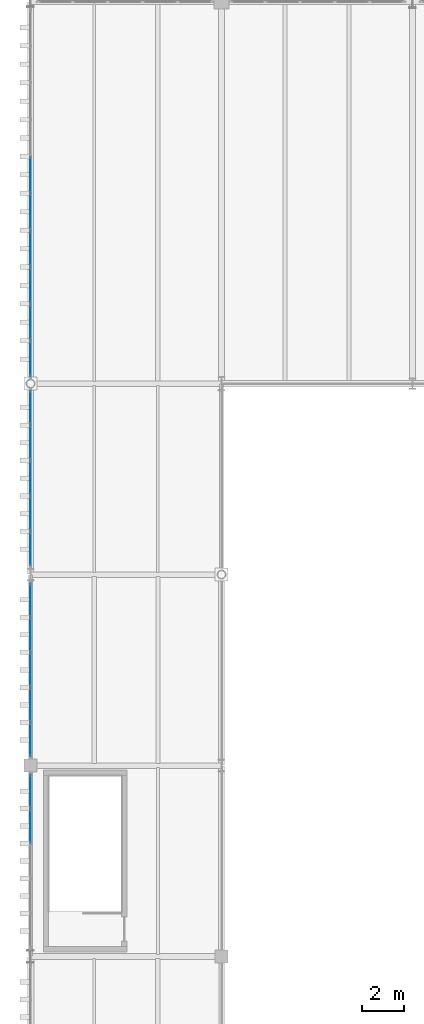
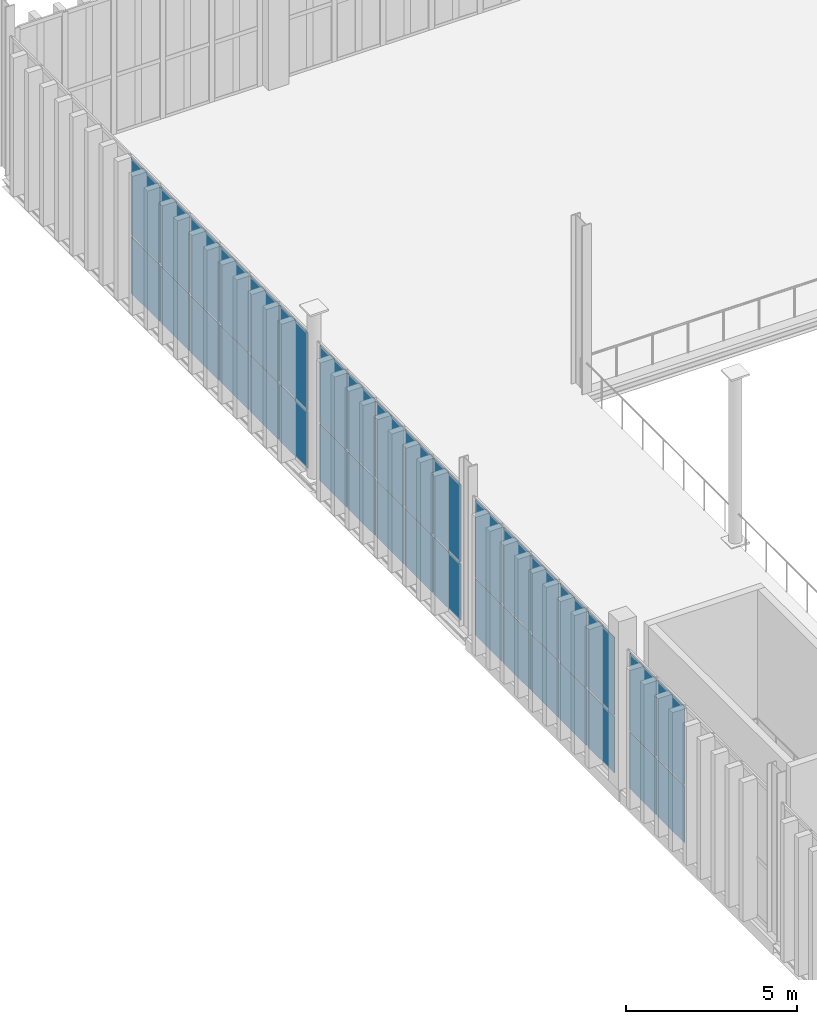
# One storey, part 159 of 211: 36 plates, 4 elements without a shape of their own.
"""IFC4 building model written with IfcOpenShell, lengths in metres."""

from ifc_helpers import new_model, si_unit, direction, frame, origin, origin_2d, place, context, subcontext, project, spatial, rectangle, extrude, material, layer, layer_set, type_object, element, aggregate, save


model = new_model("IFC4")

# Units and contexts
model_context = context("Model", 3, precision=1e-05, world=origin(), true_north=direction((0.0, 1.0)))
body_context = subcontext(model_context, "Body", "Model", "MODEL_VIEW")
ifc_project = project(units=[si_unit("LENGTHUNIT", "METRE"), si_unit("AREAUNIT", "SQUARE_METRE"), si_unit("VOLUMEUNIT", "CUBIC_METRE"), si_unit("PLANEANGLEUNIT", "RADIAN"), si_unit("MASSUNIT", "GRAM", prefix="KILO")], contexts=[model_context])

# Site, building, storey
site_placement = place(None, origin())
site = spatial("IfcSite", under=ifc_project, at=site_placement, CompositionType="ELEMENT")
building_placement = place(site_placement, origin())
building = spatial("IfcBuilding", under=site, at=building_placement, Name="Barlavento Convention Centre", CompositionType="ELEMENT")
storey_placement = place(building_placement, frame((0.0, 0.0, 6.0)))
storey = spatial("IfcBuildingStorey", under=building, at=storey_placement, Name="L01", CompositionType="ELEMENT", Elevation=6.0)

# Curtain wall, plates
ifc_material_1 = material(Name="Powder-coated aluminium and Low-E glass", Category="aluminium")
ifc_layer_1 = layer(ifc_material_1, 0.179931640625)
ifc_layer_set_1 = layer_set([ifc_layer_1], Name="ARC-CW-EXH-L01")
curtain_wall_type = type_object("IfcCurtainWallType", Name="ARC-CW-EXH-L01", PredefinedType="NOTDEFINED", material=ifc_layer_set_1)
curtain_wall_1_placement = place(storey_placement, origin())
curtain_wall_1 = element("IfcCurtainWall", 1, at=curtain_wall_1_placement, inside=storey, type_object=curtain_wall_type, Name="L01 unitised curtain wall CW04", PredefinedType="NOTDEFINED")
ifc_material_2 = material(Name="Double-silver Low-E insulated glass", Category="glass")
ifc_layer_2 = layer(ifc_material_2, 0.028076171875)
ifc_layer_set_2 = layer_set([ifc_layer_2], Name="ARC-CWP-GLZ28")
plate_type = type_object("IfcPlateType", Name="ARC-CWP-GLZ28", PredefinedType="CURTAIN_PANEL", material=ifc_layer_set_2)
plate_1_placement = place(storey_placement, frame((0.0, 96.14794921875, 0.06005859375), z_axis=(0.0, 0.0, 1.0), x_axis=(0.0, 1.0, 0.0)))
plate_1 = element("IfcPlate", 2, at=plate_1_placement, type_object=plate_type, Name="CW04 panel 4.1", PredefinedType="CURTAIN_PANEL", context=body_context, shape_type="SweptSolid", body=[
    extrude(rectangle(XDim=1.5830078125, YDim=0.028076171875, at=origin_2d()), origin(), (0.0, 0.0, 1.0), 2.010009765625),
])
plate_2_placement = place(storey_placement, frame((0.0, 96.14794921875, 2.1298828125), z_axis=(0.0, 0.0, 1.0), x_axis=(0.0, 1.0, 0.0)))
plate_2 = element("IfcPlate", 3, at=plate_2_placement, type_object=plate_type, Name="CW04 panel 4.2", PredefinedType="CURTAIN_PANEL", context=body_context, shape_type="SweptSolid", body=[
    extrude(rectangle(XDim=1.5830078125, YDim=0.028076171875, at=origin_2d()), origin(), (0.0, 0.0, 1.0), 2.760009765625),
])
plate_3_placement = place(storey_placement, frame((0.0, 97.77978515625, 0.06005859375), z_axis=(0.0, 0.0, 1.0), x_axis=(0.0, 1.0, 0.0)))
plate_3 = element("IfcPlate", 4, at=plate_3_placement, type_object=plate_type, Name="CW04 panel 5.1", PredefinedType="CURTAIN_PANEL", context=body_context, shape_type="SweptSolid", body=[
    extrude(rectangle(XDim=1.550537109375, YDim=0.028076171875, at=origin_2d()), origin(), (0.0, 0.0, 1.0), 2.010009765625),
])
plate_4_placement = place(storey_placement, frame((0.0, 97.77978515625, 2.1298828125), z_axis=(0.0, 0.0, 1.0), x_axis=(0.0, 1.0, 0.0)))
plate_4 = element("IfcPlate", 5, at=plate_4_placement, type_object=plate_type, Name="CW04 panel 5.2", PredefinedType="CURTAIN_PANEL", context=body_context, shape_type="SweptSolid", body=[
    extrude(rectangle(XDim=1.550537109375, YDim=0.028076171875, at=origin_2d()), origin(), (0.0, 0.0, 1.0), 2.760009765625),
])
aggregate(curtain_wall_1, [plate_1, plate_2, plate_3, plate_4])

curtain_wall_2_placement = place(storey_placement, origin())
curtain_wall_2 = element("IfcCurtainWall", 6, at=curtain_wall_2_placement, inside=storey, type_object=curtain_wall_type, Name="L01 unitised curtain wall CW04", PredefinedType="NOTDEFINED")
plate_5_placement = place(storey_placement, frame((0.0, 100.2216796875, 0.06005859375), z_axis=(0.0, 0.0, 1.0), x_axis=(0.0, 1.0, 0.0)))
plate_5 = element("IfcPlate", 7, at=plate_5_placement, type_object=plate_type, Name="CW04 panel 1.1", PredefinedType="CURTAIN_PANEL", context=body_context, shape_type="SweptSolid", body=[
    extrude(rectangle(XDim=1.55322265625, YDim=0.028076171875, at=origin_2d()), origin(), (0.0, 0.0, 1.0), 2.010009765625),
])
plate_6_placement = place(storey_placement, frame((0.0, 100.2216796875, 2.1298828125), z_axis=(0.0, 0.0, 1.0), x_axis=(0.0, 1.0, 0.0)))
plate_6 = element("IfcPlate", 8, at=plate_6_placement, type_object=plate_type, Name="CW04 panel 1.2", PredefinedType="CURTAIN_PANEL", context=body_context, shape_type="SweptSolid", body=[
    extrude(rectangle(XDim=1.55322265625, YDim=0.028076171875, at=origin_2d()), origin(), (0.0, 0.0, 1.0), 2.760009765625),
])
plate_7_placement = place(storey_placement, frame((0.0, 101.856201171875, 0.06005859375), z_axis=(0.0, 0.0, 1.0), x_axis=(0.0, 1.0, 0.0)))
plate_7 = element("IfcPlate", 9, at=plate_7_placement, type_object=plate_type, Name="CW04 panel 2.1", PredefinedType="CURTAIN_PANEL", context=body_context, shape_type="SweptSolid", body=[
    extrude(rectangle(XDim=1.585693359375, YDim=0.028076171875, at=origin_2d()), origin(), (0.0, 0.0, 1.0), 2.010009765625),
])
plate_8_placement = place(storey_placement, frame((0.0, 101.856201171875, 2.1298828125), z_axis=(0.0, 0.0, 1.0), x_axis=(0.0, 1.0, 0.0)))
plate_8 = element("IfcPlate", 10, at=plate_8_placement, type_object=plate_type, Name="CW04 panel 2.2", PredefinedType="CURTAIN_PANEL", context=body_context, shape_type="SweptSolid", body=[
    extrude(rectangle(XDim=1.585693359375, YDim=0.028076171875, at=origin_2d()), origin(), (0.0, 0.0, 1.0), 2.760009765625),
])
plate_9_placement = place(storey_placement, frame((0.0, 103.507080078125, 0.06005859375), z_axis=(0.0, 0.0, 1.0), x_axis=(0.0, 1.0, 0.0)))
plate_9 = element("IfcPlate", 11, at=plate_9_placement, type_object=plate_type, Name="CW04 panel 3.1", PredefinedType="CURTAIN_PANEL", context=body_context, shape_type="SweptSolid", body=[
    extrude(rectangle(XDim=1.585693359375, YDim=0.028076171875, at=origin_2d()), origin(), (0.0, 0.0, 1.0), 2.010009765625),
])
plate_10_placement = place(storey_placement, frame((0.0, 103.507080078125, 2.1298828125), z_axis=(0.0, 0.0, 1.0), x_axis=(0.0, 1.0, 0.0)))
plate_10 = element("IfcPlate", 12, at=plate_10_placement, type_object=plate_type, Name="CW04 panel 3.2", PredefinedType="CURTAIN_PANEL", context=body_context, shape_type="SweptSolid", body=[
    extrude(rectangle(XDim=1.585693359375, YDim=0.028076171875, at=origin_2d()), origin(), (0.0, 0.0, 1.0), 2.760009765625),
])
plate_11_placement = place(storey_placement, frame((0.0, 105.15771484375, 0.06005859375), z_axis=(0.0, 0.0, 1.0), x_axis=(0.0, 1.0, 0.0)))
plate_11 = element("IfcPlate", 13, at=plate_11_placement, type_object=plate_type, Name="CW04 panel 4.1", PredefinedType="CURTAIN_PANEL", context=body_context, shape_type="SweptSolid", body=[
    extrude(rectangle(XDim=1.585693359375, YDim=0.028076171875, at=origin_2d()), origin(), (0.0, 0.0, 1.0), 2.010009765625),
])
plate_12_placement = place(storey_placement, frame((0.0, 105.15771484375, 2.1298828125), z_axis=(0.0, 0.0, 1.0), x_axis=(0.0, 1.0, 0.0)))
plate_12 = element("IfcPlate", 14, at=plate_12_placement, type_object=plate_type, Name="CW04 panel 4.2", PredefinedType="CURTAIN_PANEL", context=body_context, shape_type="SweptSolid", body=[
    extrude(rectangle(XDim=1.585693359375, YDim=0.028076171875, at=origin_2d()), origin(), (0.0, 0.0, 1.0), 2.760009765625),
])
plate_13_placement = place(storey_placement, frame((0.0, 106.792236328125, 0.06005859375), z_axis=(0.0, 0.0, 1.0), x_axis=(0.0, 1.0, 0.0)))
plate_13 = element("IfcPlate", 15, at=plate_13_placement, type_object=plate_type, Name="CW04 panel 5.1", PredefinedType="CURTAIN_PANEL", context=body_context, shape_type="SweptSolid", body=[
    extrude(rectangle(XDim=1.55322265625, YDim=0.028076171875, at=origin_2d()), origin(), (0.0, 0.0, 1.0), 2.010009765625),
])
plate_14_placement = place(storey_placement, frame((0.0, 106.792236328125, 2.1298828125), z_axis=(0.0, 0.0, 1.0), x_axis=(0.0, 1.0, 0.0)))
plate_14 = element("IfcPlate", 16, at=plate_14_placement, type_object=plate_type, Name="CW04 panel 5.2", PredefinedType="CURTAIN_PANEL", context=body_context, shape_type="SweptSolid", body=[
    extrude(rectangle(XDim=1.55322265625, YDim=0.028076171875, at=origin_2d()), origin(), (0.0, 0.0, 1.0), 2.760009765625),
])
aggregate(curtain_wall_2, [plate_5, plate_6, plate_7, plate_8, plate_9, plate_10, plate_11, plate_12, plate_13, plate_14])

curtain_wall_3_placement = place(storey_placement, origin())
curtain_wall_3 = element("IfcCurtainWall", 17, at=curtain_wall_3_placement, inside=storey, type_object=curtain_wall_type, Name="L01 unitised curtain wall CW04", PredefinedType="NOTDEFINED")
plate_15_placement = place(storey_placement, frame((0.0, 109.21728515625, 0.06005859375), z_axis=(0.0, 0.0, 1.0), x_axis=(0.0, 1.0, 0.0)))
plate_15 = element("IfcPlate", 18, at=plate_15_placement, type_object=plate_type, Name="CW04 panel 1.1", PredefinedType="CURTAIN_PANEL", context=body_context, shape_type="SweptSolid", body=[
    extrude(rectangle(XDim=1.57275390625, YDim=0.028076171875, at=origin_2d()), origin(), (0.0, 0.0, 1.0), 2.010009765625),
])
plate_16_placement = place(storey_placement, frame((0.0, 109.21728515625, 2.1298828125), z_axis=(0.0, 0.0, 1.0), x_axis=(0.0, 1.0, 0.0)))
plate_16 = element("IfcPlate", 19, at=plate_16_placement, type_object=plate_type, Name="CW04 panel 1.2", PredefinedType="CURTAIN_PANEL", context=body_context, shape_type="SweptSolid", body=[
    extrude(rectangle(XDim=1.57275390625, YDim=0.028076171875, at=origin_2d()), origin(), (0.0, 0.0, 1.0), 2.760009765625),
])
plate_17_placement = place(storey_placement, frame((0.0, 110.871337890625, 0.06005859375), z_axis=(0.0, 0.0, 1.0), x_axis=(0.0, 1.0, 0.0)))
plate_17 = element("IfcPlate", 20, at=plate_17_placement, type_object=plate_type, Name="CW04 panel 2.1", PredefinedType="CURTAIN_PANEL", context=body_context, shape_type="SweptSolid", body=[
    extrude(rectangle(XDim=1.605224609375, YDim=0.028076171875, at=origin_2d()), origin(), (0.0, 0.0, 1.0), 2.010009765625),
])
plate_18_placement = place(storey_placement, frame((0.0, 110.871337890625, 2.1298828125), z_axis=(0.0, 0.0, 1.0), x_axis=(0.0, 1.0, 0.0)))
plate_18 = element("IfcPlate", 21, at=plate_18_placement, type_object=plate_type, Name="CW04 panel 2.2", PredefinedType="CURTAIN_PANEL", context=body_context, shape_type="SweptSolid", body=[
    extrude(rectangle(XDim=1.605224609375, YDim=0.028076171875, at=origin_2d()), origin(), (0.0, 0.0, 1.0), 2.760009765625),
])
plate_19_placement = place(storey_placement, frame((0.0, 112.54150390625, 0.06005859375), z_axis=(0.0, 0.0, 1.0), x_axis=(0.0, 1.0, 0.0)))
plate_19 = element("IfcPlate", 22, at=plate_19_placement, type_object=plate_type, Name="CW04 panel 3.1", PredefinedType="CURTAIN_PANEL", context=body_context, shape_type="SweptSolid", body=[
    extrude(rectangle(XDim=1.605224609375, YDim=0.028076171875, at=origin_2d()), origin(), (0.0, 0.0, 1.0), 2.010009765625),
])
plate_20_placement = place(storey_placement, frame((0.0, 112.54150390625, 2.1298828125), z_axis=(0.0, 0.0, 1.0), x_axis=(0.0, 1.0, 0.0)))
plate_20 = element("IfcPlate", 23, at=plate_20_placement, type_object=plate_type, Name="CW04 panel 3.2", PredefinedType="CURTAIN_PANEL", context=body_context, shape_type="SweptSolid", body=[
    extrude(rectangle(XDim=1.605224609375, YDim=0.028076171875, at=origin_2d()), origin(), (0.0, 0.0, 1.0), 2.760009765625),
])
plate_21_placement = place(storey_placement, frame((0.0, 114.211669921875, 0.06005859375), z_axis=(0.0, 0.0, 1.0), x_axis=(0.0, 1.0, 0.0)))
plate_21 = element("IfcPlate", 24, at=plate_21_placement, type_object=plate_type, Name="CW04 panel 4.1", PredefinedType="CURTAIN_PANEL", context=body_context, shape_type="SweptSolid", body=[
    extrude(rectangle(XDim=1.605224609375, YDim=0.028076171875, at=origin_2d()), origin(), (0.0, 0.0, 1.0), 2.010009765625),
])
plate_22_placement = place(storey_placement, frame((0.0, 114.211669921875, 2.1298828125), z_axis=(0.0, 0.0, 1.0), x_axis=(0.0, 1.0, 0.0)))
plate_22 = element("IfcPlate", 25, at=plate_22_placement, type_object=plate_type, Name="CW04 panel 4.2", PredefinedType="CURTAIN_PANEL", context=body_context, shape_type="SweptSolid", body=[
    extrude(rectangle(XDim=1.605224609375, YDim=0.028076171875, at=origin_2d()), origin(), (0.0, 0.0, 1.0), 2.760009765625),
])
plate_23_placement = place(storey_placement, frame((0.0, 115.865478515625, 0.06005859375), z_axis=(0.0, 0.0, 1.0), x_axis=(0.0, 1.0, 0.0)))
plate_23 = element("IfcPlate", 26, at=plate_23_placement, type_object=plate_type, Name="CW04 panel 5.1", PredefinedType="CURTAIN_PANEL", context=body_context, shape_type="SweptSolid", body=[
    extrude(rectangle(XDim=1.57275390625, YDim=0.028076171875, at=origin_2d()), origin(), (0.0, 0.0, 1.0), 2.010009765625),
])
plate_24_placement = place(storey_placement, frame((0.0, 115.865478515625, 2.1298828125), z_axis=(0.0, 0.0, 1.0), x_axis=(0.0, 1.0, 0.0)))
plate_24 = element("IfcPlate", 27, at=plate_24_placement, type_object=plate_type, Name="CW04 panel 5.2", PredefinedType="CURTAIN_PANEL", context=body_context, shape_type="SweptSolid", body=[
    extrude(rectangle(XDim=1.57275390625, YDim=0.028076171875, at=origin_2d()), origin(), (0.0, 0.0, 1.0), 2.760009765625),
])
aggregate(curtain_wall_3, [plate_15, plate_16, plate_17, plate_18, plate_19, plate_20, plate_21, plate_22, plate_23, plate_24])

curtain_wall_4_placement = place(storey_placement, origin())
curtain_wall_4 = element("IfcCurtainWall", 28, at=curtain_wall_4_placement, inside=storey, type_object=curtain_wall_type, Name="L01 unitised curtain wall CW04", PredefinedType="NOTDEFINED")
plate_25_placement = place(storey_placement, frame((0.0, 118.168212890625, 0.06005859375), z_axis=(0.0, 0.0, 1.0), x_axis=(0.0, 1.0, 0.0)))
plate_25 = element("IfcPlate", 29, at=plate_25_placement, type_object=plate_type, Name="CW04 panel 1.1", PredefinedType="CURTAIN_PANEL", context=body_context, shape_type="SweptSolid", body=[
    extrude(rectangle(XDim=1.639892578125, YDim=0.028076171875, at=origin_2d()), origin(), (0.0, 0.0, 1.0), 2.010009765625),
])
plate_26_placement = place(storey_placement, frame((0.0, 118.168212890625, 2.1298828125), z_axis=(0.0, 0.0, 1.0), x_axis=(0.0, 1.0, 0.0)))
plate_26 = element("IfcPlate", 30, at=plate_26_placement, type_object=plate_type, Name="CW04 panel 1.2", PredefinedType="CURTAIN_PANEL", context=body_context, shape_type="SweptSolid", body=[
    extrude(rectangle(XDim=1.639892578125, YDim=0.028076171875, at=origin_2d()), origin(), (0.0, 0.0, 1.0), 2.760009765625),
])
plate_27_placement = place(storey_placement, frame((0.0, 119.889404296875, 0.06005859375), z_axis=(0.0, 0.0, 1.0), x_axis=(0.0, 1.0, 0.0)))
plate_27 = element("IfcPlate", 31, at=plate_27_placement, type_object=plate_type, Name="CW04 panel 2.1", PredefinedType="CURTAIN_PANEL", context=body_context, shape_type="SweptSolid", body=[
    extrude(rectangle(XDim=1.67236328125, YDim=0.028076171875, at=origin_2d()), origin(), (0.0, 0.0, 1.0), 2.010009765625),
])
plate_28_placement = place(storey_placement, frame((0.0, 119.889404296875, 2.1298828125), z_axis=(0.0, 0.0, 1.0), x_axis=(0.0, 1.0, 0.0)))
plate_28 = element("IfcPlate", 32, at=plate_28_placement, type_object=plate_type, Name="CW04 panel 2.2", PredefinedType="CURTAIN_PANEL", context=body_context, shape_type="SweptSolid", body=[
    extrude(rectangle(XDim=1.67236328125, YDim=0.028076171875, at=origin_2d()), origin(), (0.0, 0.0, 1.0), 2.760009765625),
])
plate_29_placement = place(storey_placement, frame((0.0, 121.626953125, 0.06005859375), z_axis=(0.0, 0.0, 1.0), x_axis=(0.0, 1.0, 0.0)))
plate_29 = element("IfcPlate", 33, at=plate_29_placement, type_object=plate_type, Name="CW04 panel 3.1", PredefinedType="CURTAIN_PANEL", context=body_context, shape_type="SweptSolid", body=[
    extrude(rectangle(XDim=1.67236328125, YDim=0.028076171875, at=origin_2d()), origin(), (0.0, 0.0, 1.0), 2.010009765625),
])
plate_30_placement = place(storey_placement, frame((0.0, 121.626953125, 2.1298828125), z_axis=(0.0, 0.0, 1.0), x_axis=(0.0, 1.0, 0.0)))
plate_30 = element("IfcPlate", 34, at=plate_30_placement, type_object=plate_type, Name="CW04 panel 3.2", PredefinedType="CURTAIN_PANEL", context=body_context, shape_type="SweptSolid", body=[
    extrude(rectangle(XDim=1.67236328125, YDim=0.028076171875, at=origin_2d()), origin(), (0.0, 0.0, 1.0), 2.760009765625),
])
plate_31_placement = place(storey_placement, frame((0.0, 123.364501953125, 0.06005859375), z_axis=(0.0, 0.0, 1.0), x_axis=(0.0, 1.0, 0.0)))
plate_31 = element("IfcPlate", 35, at=plate_31_placement, type_object=plate_type, Name="CW04 panel 4.1", PredefinedType="CURTAIN_PANEL", context=body_context, shape_type="SweptSolid", body=[
    extrude(rectangle(XDim=1.67236328125, YDim=0.028076171875, at=origin_2d()), origin(), (0.0, 0.0, 1.0), 2.010009765625),
])
plate_32_placement = place(storey_placement, frame((0.0, 123.364501953125, 2.1298828125), z_axis=(0.0, 0.0, 1.0), x_axis=(0.0, 1.0, 0.0)))
plate_32 = element("IfcPlate", 36, at=plate_32_placement, type_object=plate_type, Name="CW04 panel 4.2", PredefinedType="CURTAIN_PANEL", context=body_context, shape_type="SweptSolid", body=[
    extrude(rectangle(XDim=1.67236328125, YDim=0.028076171875, at=origin_2d()), origin(), (0.0, 0.0, 1.0), 2.760009765625),
])
plate_33_placement = place(storey_placement, frame((0.0, 125.101806640625, 0.06005859375), z_axis=(0.0, 0.0, 1.0), x_axis=(0.0, 1.0, 0.0)))
plate_33 = element("IfcPlate", 37, at=plate_33_placement, type_object=plate_type, Name="CW04 panel 5.1", PredefinedType="CURTAIN_PANEL", context=body_context, shape_type="SweptSolid", body=[
    extrude(rectangle(XDim=1.67236328125, YDim=0.028076171875, at=origin_2d()), origin(), (0.0, 0.0, 1.0), 2.010009765625),
])
plate_34_placement = place(storey_placement, frame((0.0, 125.101806640625, 2.1298828125), z_axis=(0.0, 0.0, 1.0), x_axis=(0.0, 1.0, 0.0)))
plate_34 = element("IfcPlate", 38, at=plate_34_placement, type_object=plate_type, Name="CW04 panel 5.2", PredefinedType="CURTAIN_PANEL", context=body_context, shape_type="SweptSolid", body=[
    extrude(rectangle(XDim=1.67236328125, YDim=0.028076171875, at=origin_2d()), origin(), (0.0, 0.0, 1.0), 2.760009765625),
])
plate_35_placement = place(storey_placement, frame((0.0, 126.83935546875, 0.06005859375), z_axis=(0.0, 0.0, 1.0), x_axis=(0.0, 1.0, 0.0)))
plate_35 = element("IfcPlate", 39, at=plate_35_placement, type_object=plate_type, Name="CW04 panel 6.1", PredefinedType="CURTAIN_PANEL", context=body_context, shape_type="SweptSolid", body=[
    extrude(rectangle(XDim=1.67236328125, YDim=0.028076171875, at=origin_2d()), origin(), (0.0, 0.0, 1.0), 2.010009765625),
])
plate_36_placement = place(storey_placement, frame((0.0, 126.83935546875, 2.1298828125), z_axis=(0.0, 0.0, 1.0), x_axis=(0.0, 1.0, 0.0)))
plate_36 = element("IfcPlate", 40, at=plate_36_placement, type_object=plate_type, Name="CW04 panel 6.2", PredefinedType="CURTAIN_PANEL", context=body_context, shape_type="SweptSolid", body=[
    extrude(rectangle(XDim=1.67236328125, YDim=0.028076171875, at=origin_2d()), origin(), (0.0, 0.0, 1.0), 2.760009765625),
])
aggregate(curtain_wall_4, [plate_25, plate_26, plate_27, plate_28, plate_29, plate_30, plate_31, plate_32, plate_33, plate_34, plate_35, plate_36])

save(model, "model.ifc")
